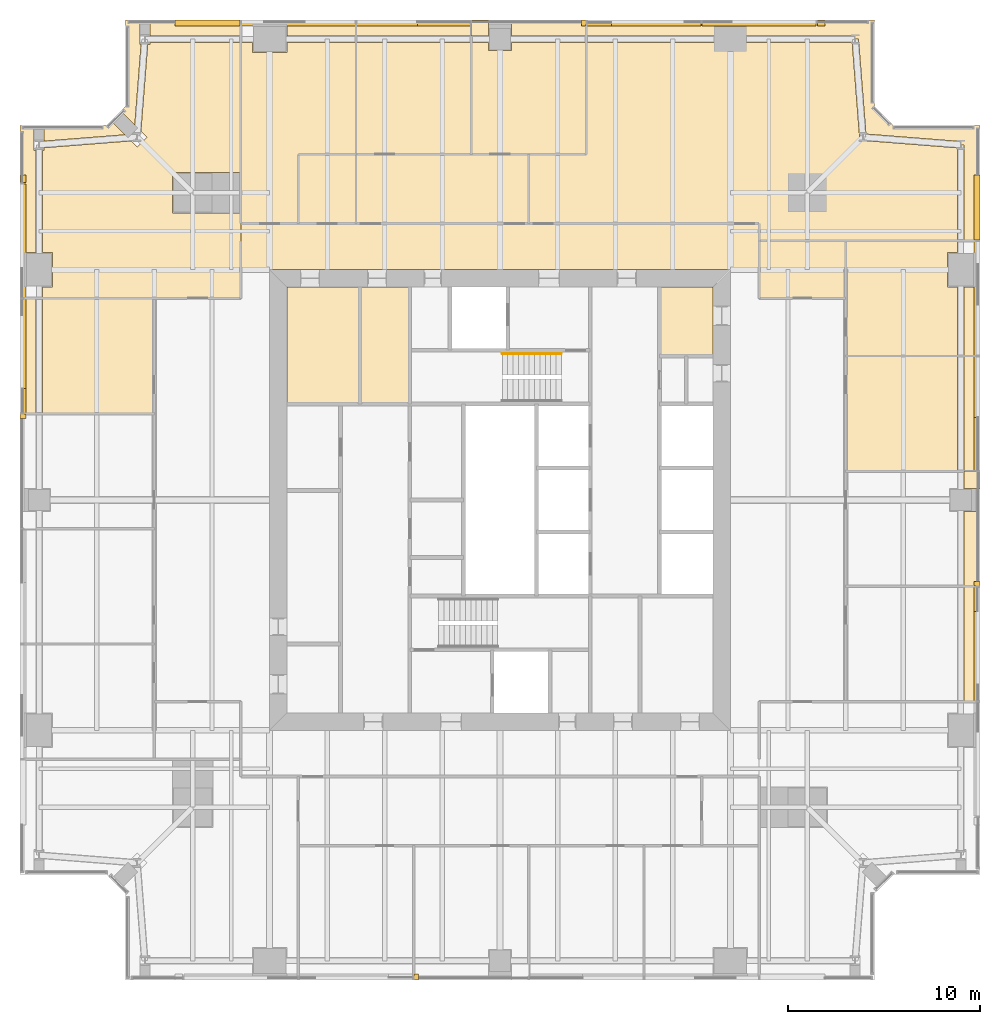
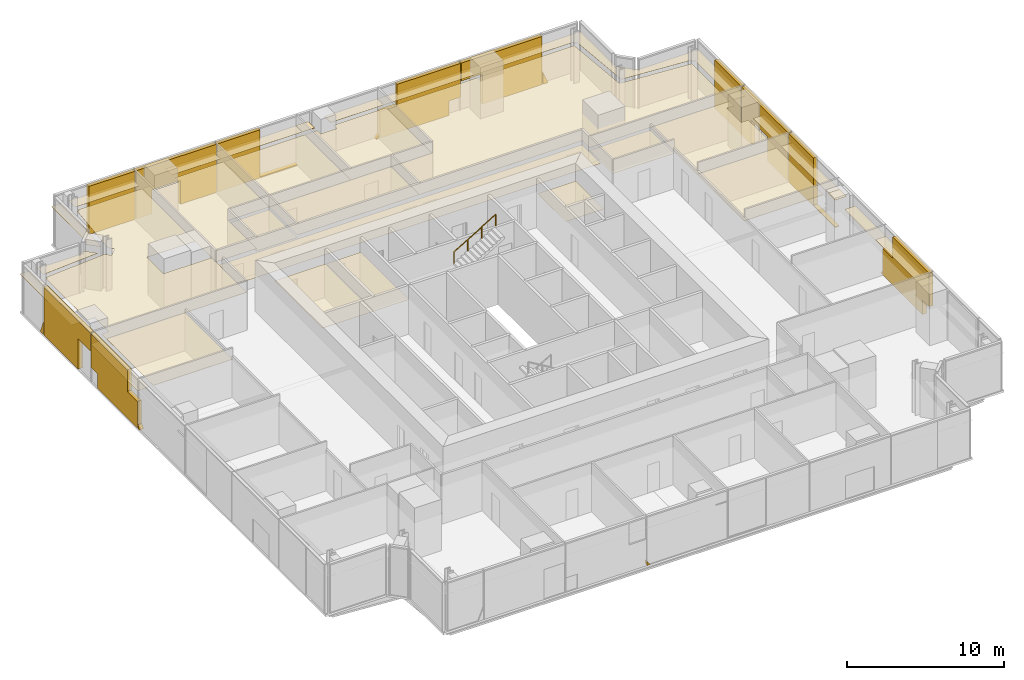
# One storey, part 14 of 14: 47 coverings, 1 railing.
"""IFC4 building model written with IfcOpenShell, lengths in metres."""

from ifc_helpers import new_model, si_unit, direction, frame, origin, origin_2d, place, context, subcontext, project, spatial, polyline, circle, outline, extrude, material, layer, layer_set, type_object, element, save


model = new_model("IFC4")

# Units and contexts
model_context = context("Model", 3, precision=1e-05, world=origin(), true_north=direction((0.0, 1.0)))
body_context = subcontext(model_context, "Body", "Model", "MODEL_VIEW")
ifc_project = project(units=[si_unit("LENGTHUNIT", "METRE"), si_unit("AREAUNIT", "SQUARE_METRE"), si_unit("VOLUMEUNIT", "CUBIC_METRE"), si_unit("PLANEANGLEUNIT", "RADIAN"), si_unit("MASSUNIT", "GRAM", prefix="KILO")], contexts=[model_context])

# Site, building, storey
site_placement = place(None, origin())
site = spatial("IfcSite", under=ifc_project, at=site_placement, CompositionType="ELEMENT")
building_placement = place(site_placement, origin())
building = spatial("IfcBuilding", under=site, at=building_placement, Name="Fenwick Lantern Interchange", CompositionType="ELEMENT")
storey_placement = place(building_placement, frame((0.0, 0.0, 225.800048828125)))
storey = spatial("IfcBuildingStorey", under=building, at=storey_placement, Name="L53", CompositionType="ELEMENT", Elevation=225.800048828125)

# Coverings
ifc_material_1 = material(Name="Mineral fibre acoustic tile on suspended grid")
ifc_layer_1 = layer(ifc_material_1, 0.02001953125)
ifc_layer_set_1 = layer_set([ifc_layer_1], Name="ACOUSTIC TILE CEILING 20")
covering_type_1 = type_object("IfcCoveringType", Name="ACOUSTIC TILE CEILING 20", PredefinedType="CEILING", material=ifc_layer_set_1)
covering_1_placement = place(storey_placement, frame((0.0, 0.0, 2.89990234375)))
element("IfcCovering", 1, at=covering_1_placement, inside=storey, type_object=covering_type_1, Name="Office ceiling", PredefinedType="CEILING", context=body_context, shape_type="SweptSolid", body=[
    extrude(outline(polyline([(50.0, 20.5), (49.17236328125, 20.5), (49.17236328125, 14.5), (50.0, 14.5), (50.0, 20.5)])), origin(), (0.0, 0.0, 1.0), 0.02001953125),
])
covering_2_placement = place(storey_placement, frame((0.0, 0.0, 2.89990234375)))
element("IfcCovering", 2, at=covering_2_placement, inside=storey, type_object=covering_type_1, Name="Office ceiling", PredefinedType="CEILING", context=body_context, shape_type="SweptSolid", body=[
    extrude(outline(polyline([(49.17236328125, 20.5), (50.0, 20.5), (50.0, 24.39990234375), (49.17236328125, 24.39990234375), (49.17236328125, 20.5)])), origin(), (0.0, 0.0, 1.0), 0.02001953125),
])
covering_3_placement = place(storey_placement, frame((0.0, 0.0, 2.89990234375)))
element("IfcCovering", 3, at=covering_3_placement, inside=storey, type_object=covering_type_1, Name="Office ceiling", PredefinedType="CEILING", context=body_context, shape_type="SweptSolid", body=[
    extrude(outline(polyline([(50.0, 26.5), (49.17236328125, 26.5), (49.17236328125, 25.60009765625), (50.0, 25.60009765625), (50.0, 26.5)])), origin(), (0.0, 0.0, 1.0), 0.02001953125),
])
covering_4_placement = place(storey_placement, frame((0.0, 0.0, 2.89990234375)))
element("IfcCovering", 4, at=covering_4_placement, inside=storey, type_object=covering_type_1, Name="Office ceiling", PredefinedType="CEILING", context=body_context, shape_type="SweptSolid", body=[
    extrude(outline(polyline([(43.0, 26.5), (48.82763671875, 26.5), (48.82763671875, 32.5), (43.0, 32.5), (43.0, 26.5)])), origin(), (0.0, 0.0, 1.0), 0.02001953125),
])
covering_5_placement = place(storey_placement, frame((0.0, 0.0, 2.89990234375)))
element("IfcCovering", 5, at=covering_5_placement, inside=storey, type_object=covering_type_1, Name="Office ceiling", PredefinedType="CEILING", context=body_context, shape_type="SweptSolid", body=[
    extrude(outline(polyline([(50.0, 32.5), (49.17236328125, 32.5), (49.17236328125, 26.5), (50.0, 26.5), (50.0, 32.5)])), origin(), (0.0, 0.0, 1.0), 0.02001953125),
])
covering_6_placement = place(storey_placement, frame((0.0, 0.0, 2.89990234375)))
element("IfcCovering", 6, at=covering_6_placement, inside=storey, type_object=covering_type_1, Name="Office ceiling", PredefinedType="CEILING", context=body_context, shape_type="SweptSolid", body=[
    extrude(outline(polyline([(43.0, 32.5), (48.82763671875, 32.5), (48.82763671875, 36.10009765625), (48.300048828125, 36.10009765625), (48.300048828125, 37.89990234375), (48.82763671875, 37.89990234375), (48.82763671875, 38.5), (43.0, 38.5), (43.0, 32.5)])), origin(), (0.0, 0.0, 1.0), 0.02001953125),
])
covering_7_placement = place(storey_placement, frame((0.0, 0.0, 2.89990234375)))
element("IfcCovering", 7, at=covering_7_placement, inside=storey, type_object=covering_type_1, Name="Office ceiling", PredefinedType="CEILING", context=body_context, shape_type="SweptSolid", body=[
    extrude(outline(polyline([(49.17236328125, 32.5), (50.0, 32.5), (50.0, 36.10009765625), (49.17236328125, 36.10009765625), (49.17236328125, 32.5)])), origin(), (0.0, 0.0, 1.0), 0.02001953125),
])
covering_8_placement = place(storey_placement, frame((0.0, 0.0, 2.89990234375)))
element("IfcCovering", 8, at=covering_8_placement, inside=storey, type_object=covering_type_1, Name="Meeting room ceiling", PredefinedType="CEILING", context=body_context, shape_type="SweptSolid", body=[
    extrude(outline(polyline([(29.5, 43.0), (29.5, 48.82763671875), (25.60009765625, 48.82763671875), (25.60009765625, 48.39990234375), (24.39990234375, 48.39990234375), (24.39990234375, 48.82763671875), (23.5, 48.82763671875), (23.5, 43.0), (29.5, 43.0)])), origin(), (0.0, 0.0, 1.0), 0.02001953125),
])
covering_9_placement = place(storey_placement, frame((0.0, 0.0, 2.89990234375)))
element("IfcCovering", 9, at=covering_9_placement, inside=storey, type_object=covering_type_1, Name="Meeting room ceiling", PredefinedType="CEILING", context=body_context, shape_type="SweptSolid", body=[
    extrude(outline(polyline([(29.5, 49.17236328125), (29.5, 50.0), (25.60009765625, 50.0), (25.60009765625, 49.17236328125), (29.5, 49.17236328125)])), origin(), (0.0, 0.0, 1.0), 0.02001953125),
])
covering_10_placement = place(storey_placement, frame((0.0, 0.0, 2.89990234375)))
element("IfcCovering", 10, at=covering_10_placement, inside=storey, type_object=covering_type_1, Name="Meeting room ceiling", PredefinedType="CEILING", context=body_context, shape_type="SweptSolid", body=[
    extrude(outline(polyline([(23.5, 50.0), (23.5, 49.17236328125), (24.39990234375, 49.17236328125), (24.39990234375, 50.0), (23.5, 50.0)])), origin(), (0.0, 0.0, 1.0), 0.02001953125),
])
covering_11_placement = place(storey_placement, frame((0.0, 0.0, 2.89990234375)))
element("IfcCovering", 11, at=covering_11_placement, inside=storey, type_object=covering_type_1, Name="Meeting room ceiling", PredefinedType="CEILING", context=body_context, shape_type="SweptSolid", body=[
    extrude(outline(polyline([(23.5, 43.0), (23.5, 48.82763671875), (17.5, 48.82763671875), (17.5, 43.0), (23.5, 43.0)])), origin(), (0.0, 0.0, 1.0), 0.02001953125),
])
covering_12_placement = place(storey_placement, frame((0.0, 0.0, 2.89990234375)))
element("IfcCovering", 12, at=covering_12_placement, inside=storey, type_object=covering_type_1, Name="Meeting room ceiling", PredefinedType="CEILING", context=body_context, shape_type="SweptSolid", body=[
    extrude(outline(polyline([(17.5, 50.0), (17.5, 49.17236328125), (23.5, 49.17236328125), (23.5, 50.0), (17.5, 50.0)])), origin(), (0.0, 0.0, 1.0), 0.02001953125),
])
covering_13_placement = place(storey_placement, frame((0.0, 0.0, 2.89990234375)))
element("IfcCovering", 13, at=covering_13_placement, inside=storey, type_object=covering_type_1, Name="Meeting room ceiling", PredefinedType="CEILING", context=body_context, shape_type="SweptSolid", body=[
    extrude(outline(polyline([(12.10009765625, 48.300048828125), (12.10009765625, 48.82763671875), (11.5, 48.82763671875), (11.5, 39.39990234375), (14.5, 39.39990234375), (14.5, 43.0), (17.5, 43.0), (17.5, 48.82763671875), (13.89990234375, 48.82763671875), (13.89990234375, 48.300048828125), (12.10009765625, 48.300048828125)])), origin(), (0.0, 0.0, 1.0), 0.02001953125),
])
covering_14_placement = place(storey_placement, frame((0.0, 0.0, 2.89990234375)))
element("IfcCovering", 14, at=covering_14_placement, inside=storey, type_object=covering_type_1, Name="Meeting room ceiling", PredefinedType="CEILING", context=body_context, shape_type="SweptSolid", body=[
    extrude(outline(polyline([(13.89990234375, 50.0), (13.89990234375, 49.17236328125), (17.5, 49.17236328125), (17.5, 50.0), (13.89990234375, 50.0)])), origin(), (0.0, 0.0, 1.0), 0.02001953125),
])
covering_15_placement = place(storey_placement, frame((0.0, 0.0, 2.89990234375)))
element("IfcCovering", 15, at=covering_15_placement, inside=storey, type_object=covering_type_1, Name="Executive office ceiling", PredefinedType="CEILING", context=body_context, shape_type="SweptSolid", body=[
    extrude(outline(polyline([(6.76220703125, 48.71240234375), (6.650390625, 48.71240234375), (6.298095703125, 44.22216796875), (6.620361328125, 43.89990234375), (6.10009765625, 43.379638671875), (5.77783203125, 43.701904296875), (1.26220703125, 43.34765625), (1.26220703125, 43.21240234375), (1.17236328125, 43.21240234375), (1.17236328125, 37.89990234375), (1.699951171875, 37.89990234375), (1.699951171875, 36.10009765625), (1.17236328125, 36.10009765625), (1.17236328125, 35.5), (11.5, 35.5), (11.5, 39.949951171875), (7.949951171875, 39.949951171875), (7.949951171875, 42.050048828125), (11.5, 42.050048828125), (11.5, 48.82763671875), (6.76220703125, 48.82763671875), (6.76220703125, 48.71240234375)])), origin(), (0.0, 0.0, 1.0), 0.02001953125),
])
covering_16_placement = place(storey_placement, frame((0.0, 0.0, 2.89990234375)))
element("IfcCovering", 16, at=covering_16_placement, inside=storey, type_object=covering_type_1, Name="Executive office ceiling", PredefinedType="CEILING", context=body_context, shape_type="SweptSolid", body=[
    extrude(outline(polyline([(0.0, 37.89990234375), (0.82763671875, 37.89990234375), (0.82763671875, 43.21240234375), (0.73779296875, 43.21240234375), (0.73779296875, 44.5), (0.0, 44.5), (0.0, 37.89990234375)])), origin(), (0.0, 0.0, 1.0), 0.02001953125),
])
covering_17_placement = place(storey_placement, frame((0.0, 0.0, 2.89990234375)))
element("IfcCovering", 17, at=covering_17_placement, inside=storey, type_object=covering_type_1, Name="Executive office ceiling", PredefinedType="CEILING", context=body_context, shape_type="SweptSolid", body=[
    extrude(outline(polyline([(6.76220703125, 50.0), (6.76220703125, 49.17236328125), (11.5, 49.17236328125), (11.5, 50.0), (6.76220703125, 50.0)])), origin(), (0.0, 0.0, 1.0), 0.02001953125),
])
covering_18_placement = place(storey_placement, frame((0.0, 0.0, 2.89990234375)))
element("IfcCovering", 18, at=covering_18_placement, inside=storey, type_object=covering_type_1, Name="Executive office ceiling", PredefinedType="CEILING", context=body_context, shape_type="SweptSolid", body=[
    extrude(outline(polyline([(6.304443359375, 48.71240234375), (6.23779296875, 48.71240234375), (6.23779296875, 50.0), (5.5, 50.0), (5.5, 45.5), (5.26025390625, 45.26025390625), (5.9775390625, 44.542724609375), (6.304443359375, 48.71240234375)])), origin(), (0.0, 0.0, 1.0), 0.02001953125),
])
covering_19_placement = place(storey_placement, frame((0.0, 0.0, 2.89990234375)))
element("IfcCovering", 19, at=covering_19_placement, inside=storey, type_object=covering_type_1, Name="Executive office ceiling", PredefinedType="CEILING", context=body_context, shape_type="SweptSolid", body=[
    extrude(outline(polyline([(1.26220703125, 44.5), (1.26220703125, 43.693603515625), (5.457275390625, 44.0224609375), (4.73974609375, 44.73974609375), (4.5, 44.5), (1.26220703125, 44.5)])), origin(), (0.0, 0.0, 1.0), 0.02001953125),
])
covering_20_placement = place(storey_placement, frame((0.0, 0.0, 2.89990234375)))
element("IfcCovering", 20, at=covering_20_placement, inside=storey, type_object=covering_type_1, Name="Office ceiling", PredefinedType="CEILING", context=body_context, shape_type="SweptSolid", body=[
    extrude(outline(polyline([(7.0, 35.5), (1.17236328125, 35.5), (1.17236328125, 29.5), (7.0, 29.5), (7.0, 35.5)])), origin(), (0.0, 0.0, 1.0), 0.02001953125),
])
covering_21_placement = place(storey_placement, frame((0.0, 0.0, 2.89990234375)))
element("IfcCovering", 21, at=covering_21_placement, inside=storey, type_object=covering_type_1, Name="Office ceiling", PredefinedType="CEILING", context=body_context, shape_type="SweptSolid", body=[
    extrude(outline(polyline([(0.0, 29.5), (0.82763671875, 29.5), (0.82763671875, 35.5), (0.0, 35.5), (0.0, 29.5)])), origin(), (0.0, 0.0, 1.0), 0.02001953125),
])
ifc_material_2 = material(Name="Granite cladding, warm grey flamed finish, on aluminium carrier frame", Category="masonry")
ifc_layer_2 = layer(ifc_material_2, 0.300048828125)
ifc_layer_set_2 = layer_set([ifc_layer_2], Name="BRACE CASING PANEL 300")
covering_type_2 = type_object("IfcCoveringType", Name="BRACE CASING PANEL 300", PredefinedType="CLADDING", material=ifc_layer_set_2)
covering_22_placement = place(storey_placement, frame((5.60009765625, 0.10009765625, 0.0), z_axis=(0.0, 0.0, 1.0), x_axis=(1.0, 0.0, 0.0)))
element("IfcCovering", 22, at=covering_22_placement, inside=storey, type_object=covering_type_2, Name="Brace casing 01 bay 03a", PredefinedType="CLADDING", context=body_context, shape_type="SweptSolid", body=[
    extrude(outline(polyline([(14.9326171875, 0.0), (15.154541015625, 0.0), (14.9326171875, 0.2939453125), (14.9326171875, 0.0)])), frame((0.0, 0.2001953125, 0.0), z_axis=(0.0, -1.0, 0.0), x_axis=(1.0, 0.0, 0.0)), (0.0, 0.0, 1.0), 0.300048828125),
])
covering_23_placement = place(storey_placement, frame((49.89990234375, 5.60009765625, 0.0), z_axis=(0.0, 0.0, 1.0), x_axis=(0.0, 1.0, 0.0)))
element("IfcCovering", 23, at=covering_23_placement, inside=storey, type_object=covering_type_2, Name="Brace casing 05 bay 02a", PredefinedType="CLADDING", context=body_context, shape_type="SweptSolid", body=[
    extrude(outline(polyline([(9.78759765625, 0.0), (14.867431640625, 0.0), (14.867431640625, 2.062255859375), (13.5966796875, 2.062255859375), (13.5966796875, 3.75), (8.9326171875, 3.75), (8.9326171875, 1.13232421875), (9.78759765625, 1.13232421875), (9.78759765625, 0.0)])), frame((0.0, 0.2001953125, 0.0), z_axis=(0.0, -1.0, 0.0), x_axis=(1.0, 0.0, 0.0)), (0.0, 0.0, 1.0), 0.300048828125),
])
covering_24_placement = place(storey_placement, frame((49.89990234375, 5.60009765625, 0.0), z_axis=(0.0, 0.0, 1.0), x_axis=(0.0, 1.0, 0.0)))
element("IfcCovering", 24, at=covering_24_placement, inside=storey, type_object=covering_type_2, Name="Brace casing 05 bay 03a", PredefinedType="CLADDING", context=body_context, shape_type="SweptSolid", body=[
    extrude(outline(polyline([(14.9326171875, 0.0), (15.154541015625, 0.0), (14.9326171875, 0.2939453125), (14.9326171875, 0.0)])), frame((0.0, 0.2001953125, 0.0), z_axis=(0.0, -1.0, 0.0), x_axis=(1.0, 0.0, 0.0)), (0.0, 0.0, 1.0), 0.300048828125),
])
covering_25_placement = place(storey_placement, frame((49.89990234375, 5.60009765625, 0.0), z_axis=(0.0, 0.0, 1.0), x_axis=(0.0, 1.0, 0.0)))
element("IfcCovering", 25, at=covering_25_placement, inside=storey, type_object=covering_type_2, Name="Brace casing 05 bay 04a", PredefinedType="CLADDING", context=body_context, shape_type="SweptSolid", body=[
    extrude(outline(polyline([(20.9326171875, 0.0), (26.867431640625, 0.0), (26.867431640625, 3.75), (23.70751953125, 3.75), (23.70751953125, 0.082275390625), (20.9326171875, 0.082275390625), (20.9326171875, 0.0)])), frame((0.0, 0.2001953125, 0.0), z_axis=(0.0, -1.0, 0.0), x_axis=(1.0, 0.0, 0.0)), (0.0, 0.0, 1.0), 0.300048828125),
])
covering_26_placement = place(storey_placement, frame((49.89990234375, 5.60009765625, 0.0), z_axis=(0.0, 0.0, 1.0), x_axis=(0.0, 1.0, 0.0)))
element("IfcCovering", 26, at=covering_26_placement, inside=storey, type_object=covering_type_2, Name="Brace casing 05 bay 05a", PredefinedType="CLADDING", context=body_context, shape_type="SweptSolid", body=[
    extrude(outline(polyline([(26.9326171875, 0.0), (29.56201171875, 0.0), (29.56201171875, 1.85986328125), (31.672119140625, 1.85986328125), (31.672119140625, 0.0), (32.867431640625, 0.0), (32.867431640625, 3.75), (26.9326171875, 3.75), (26.9326171875, 0.0)])), frame((0.0, 0.2001953125, 0.0), z_axis=(0.0, -1.0, 0.0), x_axis=(1.0, 0.0, 0.0)), (0.0, 0.0, 1.0), 0.300048828125),
])
covering_27_placement = place(storey_placement, frame((49.89990234375, 5.60009765625, 0.0), z_axis=(0.0, 0.0, 1.0), x_axis=(0.0, 1.0, 0.0)))
element("IfcCovering", 27, at=covering_27_placement, inside=storey, type_object=covering_type_2, Name="Brace casing 05 bay 06a", PredefinedType="CLADDING", context=body_context, shape_type="SweptSolid", body=[
    extrude(outline(polyline([(32.9326171875, 0.0), (36.323974609375, 0.0), (36.323974609375, 3.75), (32.9326171875, 3.75), (32.9326171875, 0.0)])), frame((0.0, 0.2001953125, 0.0), z_axis=(0.0, -1.0, 0.0), x_axis=(1.0, 0.0, 0.0)), (0.0, 0.0, 1.0), 0.300048828125),
])
covering_28_placement = place(storey_placement, frame((44.39990234375, 49.89990234375, 0.0), z_axis=(0.0, 0.0, 1.0), x_axis=(-1.0, 0.0, 0.0)))
element("IfcCovering", 28, at=covering_28_placement, inside=storey, type_object=covering_type_2, Name="Brace casing 09 bay 00a", PredefinedType="CLADDING", context=body_context, shape_type="SweptSolid", body=[
    extrude(outline(polyline([(2.4765625, 0.0), (2.867431640625, 0.0), (2.867431640625, 0.955078125), (2.4765625, 0.0)])), frame((0.0, 0.2001953125, 0.0), z_axis=(0.0, -1.0, 0.0), x_axis=(1.0, 0.0, 0.0)), (0.0, 0.0, 1.0), 0.300048828125),
])
covering_29_placement = place(storey_placement, frame((44.39990234375, 49.89990234375, 0.0), z_axis=(0.0, 0.0, 1.0), x_axis=(-1.0, 0.0, 0.0)))
element("IfcCovering", 29, at=covering_29_placement, inside=storey, type_object=covering_type_2, Name="Brace casing 09 bay 01a", PredefinedType="CLADDING", context=body_context, shape_type="SweptSolid", body=[
    extrude(outline(polyline([(2.9326171875, 0.0), (7.326416015625, 0.0), (7.326416015625, 2.345947265625), (8.867431640625, 2.345947265625), (8.867431640625, 3.75), (2.9326171875, 3.75), (2.9326171875, 0.0)])), frame((0.0, 0.2001953125, 0.0), z_axis=(0.0, -1.0, 0.0), x_axis=(1.0, 0.0, 0.0)), (0.0, 0.0, 1.0), 0.300048828125),
])
covering_30_placement = place(storey_placement, frame((44.39990234375, 49.89990234375, 0.0), z_axis=(0.0, 0.0, 1.0), x_axis=(-1.0, 0.0, 0.0)))
element("IfcCovering", 30, at=covering_30_placement, inside=storey, type_object=covering_type_2, Name="Brace casing 09 bay 02a", PredefinedType="CLADDING", context=body_context, shape_type="SweptSolid", body=[
    extrude(outline(polyline([(9.78759765625, 0.0), (14.867431640625, 0.0), (14.867431640625, 2.062255859375), (13.5966796875, 2.062255859375), (13.5966796875, 3.75), (8.9326171875, 3.75), (8.9326171875, 1.13232421875), (9.78759765625, 1.13232421875), (9.78759765625, 0.0)])), frame((0.0, 0.2001953125, 0.0), z_axis=(0.0, -1.0, 0.0), x_axis=(1.0, 0.0, 0.0)), (0.0, 0.0, 1.0), 0.300048828125),
])
covering_31_placement = place(storey_placement, frame((44.39990234375, 49.89990234375, 0.0), z_axis=(0.0, 0.0, 1.0), x_axis=(-1.0, 0.0, 0.0)))
element("IfcCovering", 31, at=covering_31_placement, inside=storey, type_object=covering_type_2, Name="Brace casing 09 bay 03a", PredefinedType="CLADDING", context=body_context, shape_type="SweptSolid", body=[
    extrude(outline(polyline([(14.9326171875, 0.0), (15.154541015625, 0.0), (14.9326171875, 0.2939453125), (14.9326171875, 0.0)])), frame((0.0, 0.2001953125, 0.0), z_axis=(0.0, -1.0, 0.0), x_axis=(1.0, 0.0, 0.0)), (0.0, 0.0, 1.0), 0.300048828125),
])
covering_32_placement = place(storey_placement, frame((44.39990234375, 49.89990234375, 0.0), z_axis=(0.0, 0.0, 1.0), x_axis=(-1.0, 0.0, 0.0)))
element("IfcCovering", 32, at=covering_32_placement, inside=storey, type_object=covering_type_2, Name="Brace casing 09 bay 04a", PredefinedType="CLADDING", context=body_context, shape_type="SweptSolid", body=[
    extrude(outline(polyline([(20.9326171875, 0.0), (26.867431640625, 0.0), (26.867431640625, 3.75), (23.70751953125, 3.75), (23.70751953125, 0.082275390625), (20.9326171875, 0.082275390625), (20.9326171875, 0.0)])), frame((0.0, 0.2001953125, 0.0), z_axis=(0.0, -1.0, 0.0), x_axis=(1.0, 0.0, 0.0)), (0.0, 0.0, 1.0), 0.300048828125),
])
covering_33_placement = place(storey_placement, frame((44.39990234375, 49.89990234375, 0.0), z_axis=(0.0, 0.0, 1.0), x_axis=(-1.0, 0.0, 0.0)))
element("IfcCovering", 33, at=covering_33_placement, inside=storey, type_object=covering_type_2, Name="Brace casing 09 bay 05a", PredefinedType="CLADDING", context=body_context, shape_type="SweptSolid", body=[
    extrude(outline(polyline([(26.9326171875, 0.0), (29.56201171875, 0.0), (29.56201171875, 1.85986328125), (31.672119140625, 1.85986328125), (31.672119140625, 0.0), (32.867431640625, 0.0), (32.867431640625, 3.75), (26.9326171875, 3.75), (26.9326171875, 0.0)])), frame((0.0, 0.2001953125, 0.0), z_axis=(0.0, -1.0, 0.0), x_axis=(1.0, 0.0, 0.0)), (0.0, 0.0, 1.0), 0.300048828125),
])
covering_34_placement = place(storey_placement, frame((44.39990234375, 49.89990234375, 0.0), z_axis=(0.0, 0.0, 1.0), x_axis=(-1.0, 0.0, 0.0)))
element("IfcCovering", 34, at=covering_34_placement, inside=storey, type_object=covering_type_2, Name="Brace casing 09 bay 06a", PredefinedType="CLADDING", context=body_context, shape_type="SweptSolid", body=[
    extrude(outline(polyline([(32.9326171875, 0.0), (36.323974609375, 0.0), (36.323974609375, 3.75), (32.9326171875, 3.75), (32.9326171875, 0.0)])), frame((0.0, 0.2001953125, 0.0), z_axis=(0.0, -1.0, 0.0), x_axis=(1.0, 0.0, 0.0)), (0.0, 0.0, 1.0), 0.300048828125),
])
covering_35_placement = place(storey_placement, frame((0.10009765625, 44.39990234375, 0.0), z_axis=(0.0, 0.0, 1.0), x_axis=(0.0, -1.0, 0.0)))
element("IfcCovering", 35, at=covering_35_placement, inside=storey, type_object=covering_type_2, Name="Brace casing 13 bay 00a", PredefinedType="CLADDING", context=body_context, shape_type="SweptSolid", body=[
    extrude(outline(polyline([(2.4765625, 0.0), (2.867431640625, 0.0), (2.867431640625, 0.955078125), (2.4765625, 0.0)])), frame((0.0, 0.2001953125, 0.0), z_axis=(0.0, -1.0, 0.0), x_axis=(1.0, 0.0, 0.0)), (0.0, 0.0, 1.0), 0.300048828125),
])
covering_36_placement = place(storey_placement, frame((0.10009765625, 44.39990234375, 0.0), z_axis=(0.0, 0.0, 1.0), x_axis=(0.0, -1.0, 0.0)))
element("IfcCovering", 36, at=covering_36_placement, inside=storey, type_object=covering_type_2, Name="Brace casing 13 bay 01a", PredefinedType="CLADDING", context=body_context, shape_type="SweptSolid", body=[
    extrude(outline(polyline([(2.9326171875, 0.0), (7.326416015625, 0.0), (7.326416015625, 2.345947265625), (8.867431640625, 2.345947265625), (8.867431640625, 3.75), (2.9326171875, 3.75), (2.9326171875, 0.0)])), frame((0.0, 0.2001953125, 0.0), z_axis=(0.0, -1.0, 0.0), x_axis=(1.0, 0.0, 0.0)), (0.0, 0.0, 1.0), 0.300048828125),
])
covering_37_placement = place(storey_placement, frame((0.10009765625, 44.39990234375, 0.0), z_axis=(0.0, 0.0, 1.0), x_axis=(0.0, -1.0, 0.0)))
element("IfcCovering", 37, at=covering_37_placement, inside=storey, type_object=covering_type_2, Name="Brace casing 13 bay 02a", PredefinedType="CLADDING", context=body_context, shape_type="SweptSolid", body=[
    extrude(outline(polyline([(9.78759765625, 0.0), (14.867431640625, 0.0), (14.867431640625, 2.062255859375), (13.5966796875, 2.062255859375), (13.5966796875, 3.75), (8.9326171875, 3.75), (8.9326171875, 1.13232421875), (9.78759765625, 1.13232421875), (9.78759765625, 0.0)])), frame((0.0, 0.2001953125, 0.0), z_axis=(0.0, -1.0, 0.0), x_axis=(1.0, 0.0, 0.0)), (0.0, 0.0, 1.0), 0.300048828125),
])
covering_38_placement = place(storey_placement, frame((0.10009765625, 44.39990234375, 0.0), z_axis=(0.0, 0.0, 1.0), x_axis=(0.0, -1.0, 0.0)))
element("IfcCovering", 38, at=covering_38_placement, inside=storey, type_object=covering_type_2, Name="Brace casing 13 bay 03a", PredefinedType="CLADDING", context=body_context, shape_type="SweptSolid", body=[
    extrude(outline(polyline([(14.9326171875, 0.0), (15.154541015625, 0.0), (14.9326171875, 0.2939453125), (14.9326171875, 0.0)])), frame((0.0, 0.2001953125, 0.0), z_axis=(0.0, -1.0, 0.0), x_axis=(1.0, 0.0, 0.0)), (0.0, 0.0, 1.0), 0.300048828125),
])

# Railing
ifc_material_3 = material(Name="Stainless steel handrail", Category="steel")
railing_type = type_object("IfcRailingType", Name="HANDRAIL 900", PredefinedType="HANDRAIL", material=ifc_material_3)
railing_placement = place(storey_placement, frame((25.1201171875, 32.6259765625, 2.16650390625)))
element("IfcRailing", 39, at=railing_placement, inside=storey, type_object=railing_type, Name="L53/STAIR/ST2/HR2", PredefinedType="HANDRAIL", context=body_context, shape_type="SweptSolid", body=[
    extrude(circle(Radius=0.02392578125, at=origin_2d()), frame((0.0, 0.0, 0.8759765625), z_axis=(0.859260807169, 0.0, 0.511537745687), x_axis=(0.0, 1.0, 0.0)), (0.0, 0.0, 1.0), 3.584228515625),
    extrude(circle(Radius=0.02099609375, at=origin_2d()), origin(), (0.0, 0.0, 1.0), 0.851806640625),
    extrude(circle(Radius=0.02099609375, at=origin_2d()), frame((1.026611328125, 0.0, 0.611083984375)), (0.0, 0.0, 1.0), 0.851806640625),
    extrude(circle(Radius=0.02099609375, at=origin_2d()), frame((2.05322265625, 0.0, 1.222412109375)), (0.0, 0.0, 1.0), 0.851806640625),
    extrude(circle(Radius=0.02099609375, at=origin_2d()), frame((3.079833984375, 0.0, 1.83349609375)), (0.0, 0.0, 1.0), 0.851806640625),
])

# Coverings
ifc_material_4 = material(Name="Moisture resistant gypsum board on suspended frame, painted")
ifc_layer_3 = layer(ifc_material_4, 0.014892578125)
ifc_layer_set_3 = layer_set([ifc_layer_3], Name="MOISTURE RESISTANT CEILING 15")
covering_type_3 = type_object("IfcCoveringType", Name="MOISTURE RESISTANT CEILING 15", PredefinedType="CEILING", material=ifc_layer_set_3)
covering_39_placement = place(storey_placement, frame((0.0, 0.0, 2.599853515625)))
element("IfcCovering", 40, at=covering_39_placement, inside=storey, type_object=covering_type_3, Name="Men's WC ceiling", PredefinedType="CEILING", context=body_context, shape_type="SweptSolid", body=[
    extrude(outline(polyline([(20.300048828125, 36.10009765625), (17.699951171875, 36.10009765625), (17.699951171875, 30.0), (20.300048828125, 30.0), (20.300048828125, 36.10009765625)])), origin(), (0.0, 0.0, 1.0), 0.01513671875),
])
covering_40_placement = place(storey_placement, frame((0.0, 0.0, 2.599853515625)))
element("IfcCovering", 41, at=covering_40_placement, inside=storey, type_object=covering_type_3, Name="Women's WC ceiling", PredefinedType="CEILING", context=body_context, shape_type="SweptSolid", body=[
    extrude(outline(polyline([(17.699951171875, 36.10009765625), (13.89990234375, 36.10009765625), (13.89990234375, 30.0), (17.699951171875, 30.0), (17.699951171875, 36.10009765625)])), origin(), (0.0, 0.0, 1.0), 0.01513671875),
])
covering_41_placement = place(storey_placement, frame((0.0, 0.0, 2.599853515625)))
element("IfcCovering", 42, at=covering_41_placement, inside=storey, type_object=covering_type_3, Name="Accessible WC and shower ceiling", PredefinedType="CEILING", context=body_context, shape_type="SweptSolid", body=[
    extrude(outline(polyline([(36.10009765625, 36.10009765625), (33.300048828125, 36.10009765625), (33.300048828125, 32.5), (36.10009765625, 32.5), (36.10009765625, 36.10009765625)])), origin(), (0.0, 0.0, 1.0), 0.01513671875),
])
covering_42_placement = place(storey_placement, frame((0.0, 0.0, 2.699951171875)))
element("IfcCovering", 43, at=covering_42_placement, inside=storey, type_object=covering_type_3, Name="Pantry ceiling", PredefinedType="CEILING", context=body_context, shape_type="SweptSolid", body=[
    extrude(outline(polyline([(43.0, 35.5), (43.0, 38.5), (38.5, 38.5), (38.5, 35.5), (43.0, 35.5)])), origin(), (0.0, 0.0, 1.0), 0.014892578125),
])
covering_43_placement = place(storey_placement, frame((0.0, 0.0, 2.699951171875)))
element("IfcCovering", 44, at=covering_43_placement, inside=storey, type_object=covering_type_3, Name="Pantry ceiling", PredefinedType="CEILING", context=body_context, shape_type="SweptSolid", body=[
    extrude(outline(polyline([(17.5, 43.0), (14.5, 43.0), (14.5, 39.39990234375), (17.5, 39.39990234375), (17.5, 43.0)])), origin(), (0.0, 0.0, 1.0), 0.014892578125),
])
ifc_material_5 = material(Name="Gypsum plasterboard on suspended frame, painted")
ifc_layer_4 = layer(ifc_material_5, 0.014892578125)
ifc_layer_set_4 = layer_set([ifc_layer_4], Name="PLASTERBOARD CEILING 15")
covering_type_4 = type_object("IfcCoveringType", Name="PLASTERBOARD CEILING 15", PredefinedType="CEILING", material=ifc_layer_set_4)
covering_44_placement = place(storey_placement, frame((0.0, 0.0, 2.89990234375)))
element("IfcCovering", 45, at=covering_44_placement, inside=storey, type_object=covering_type_4, Name="Reception ceiling", PredefinedType="CEILING", context=body_context, shape_type="SweptSolid", body=[
    extrude(outline(polyline([(26.5, 43.0), (17.5, 43.0), (17.5, 39.39990234375), (26.5, 39.39990234375), (26.5, 43.0)])), origin(), (0.0, 0.0, 1.0), 0.01513671875),
])
covering_45_placement = place(storey_placement, frame((0.0, 0.0, 2.89990234375)))
element("IfcCovering", 46, at=covering_45_placement, inside=storey, type_object=covering_type_4, Name="Client lounge ceiling", PredefinedType="CEILING", context=body_context, shape_type="SweptSolid", body=[
    extrude(outline(polyline([(38.5, 38.5), (48.82763671875, 38.5), (48.82763671875, 43.340576171875), (43.886474609375, 43.72802734375), (43.89990234375, 43.89990234375), (43.72802734375, 43.886474609375), (43.340576171875, 48.82763671875), (37.0, 48.82763671875), (29.5, 48.82763671875), (29.5, 43.0), (26.5, 43.0), (26.5, 39.39990234375), (38.5, 39.39990234375), (38.5, 38.5)])), origin(), (0.0, 0.0, 1.0), 0.01513671875),
])
covering_46_placement = place(storey_placement, frame((0.0, 0.0, 2.89990234375)))
element("IfcCovering", 47, at=covering_46_placement, inside=storey, type_object=covering_type_4, Name="Client lounge ceiling", PredefinedType="CEILING", context=body_context, shape_type="SweptSolid", body=[
    extrude(outline(polyline([(44.5, 50.0), (29.5, 50.0), (29.5, 49.17236328125), (37.0, 49.17236328125), (43.5, 49.17236328125), (43.5, 49.0), (43.671875, 49.013427734375), (44.060302734375, 44.060302734375), (49.013427734375, 43.671875), (49.0, 43.5), (49.17236328125, 43.5), (49.17236328125, 38.5), (50.0, 38.5), (50.0, 44.5), (45.5, 44.5), (44.5, 45.5), (44.5, 50.0)])), origin(), (0.0, 0.0, 1.0), 0.01513671875),
])
covering_47_placement = place(storey_placement, frame((0.0, 0.0, 2.599853515625)))
element("IfcCovering", 48, at=covering_47_placement, inside=storey, type_object=covering_type_4, Name="Corridor ceiling", PredefinedType="CEILING", context=body_context, shape_type="SweptSolid", body=[
    extrude(outline(polyline([(11.5, 39.39990234375), (11.5, 37.0), (38.5, 37.0), (38.5, 39.39990234375), (11.5, 39.39990234375)])), origin(), (0.0, 0.0, 1.0), 0.01513671875),
])

save(model, "model.ifc")
